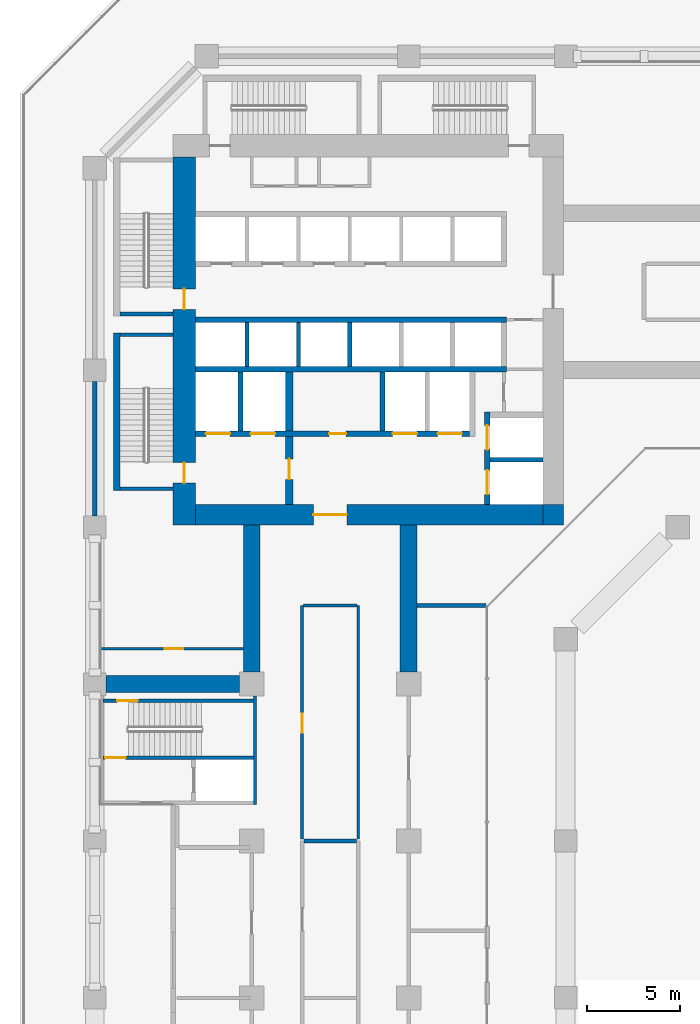
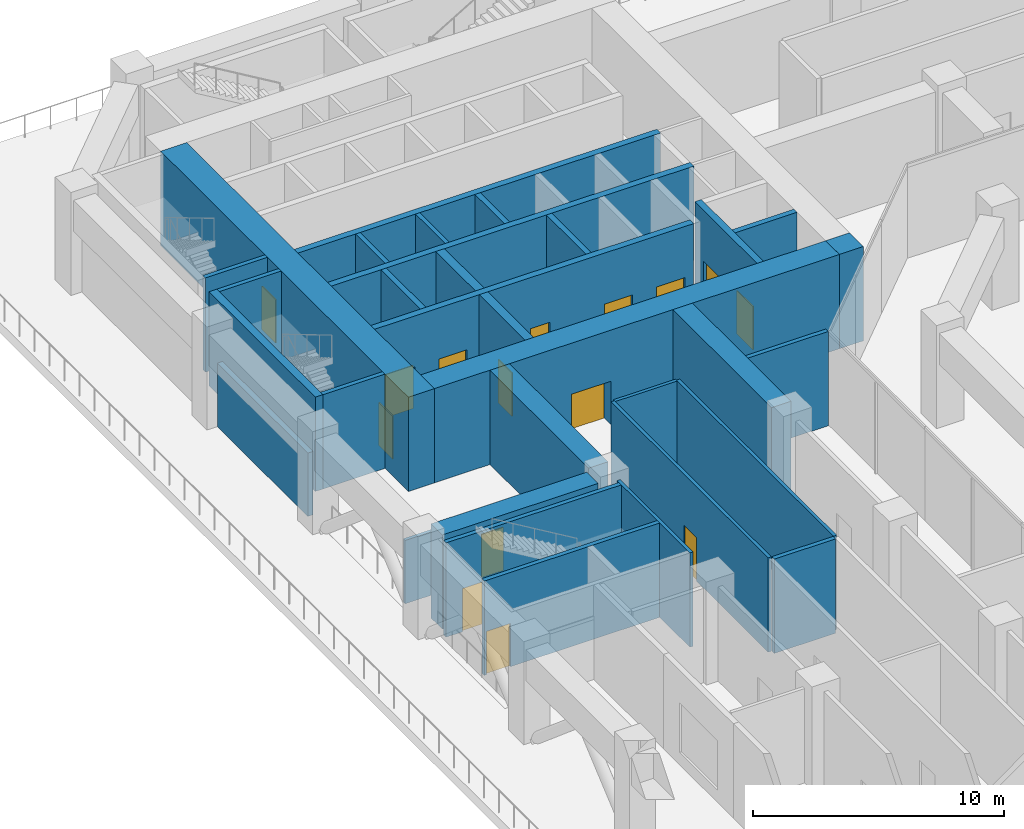
# One storey, part 7 of 19: 32 walls, 15 doors, 15 openings.
"""IFC4 building model written with IfcOpenShell, lengths in metres."""

from ifc_helpers import new_model, si_unit, direction, frame, frame_2d, origin, place, context, subcontext, project, spatial, rectangle, extrude, material, layer, layer_set, type_object, element, fill, save


model = new_model("IFC4")

# Units and contexts
model_context = context("Model", 3, precision=1e-05, world=origin(), true_north=direction((0.0, 1.0)))
body_context = subcontext(model_context, "Body", "Model", "MODEL_VIEW")
ifc_project = project(units=[si_unit("LENGTHUNIT", "METRE"), si_unit("AREAUNIT", "SQUARE_METRE"), si_unit("VOLUMEUNIT", "CUBIC_METRE"), si_unit("PLANEANGLEUNIT", "RADIAN"), si_unit("MASSUNIT", "GRAM", prefix="KILO")], contexts=[model_context])

# Site, building, storey
site_placement = place(None, origin())
site = spatial("IfcSite", under=ifc_project, at=site_placement, CompositionType="ELEMENT")
building_placement = place(site_placement, origin())
building = spatial("IfcBuilding", under=site, at=building_placement, Name="Kawkab Arch Medical Tower", CompositionType="ELEMENT")
storey_placement = place(building_placement, frame((0.0, 0.0, 34.199951171875)))
storey = spatial("IfcBuildingStorey", under=building, at=storey_placement, Name="L07", CompositionType="ELEMENT", Elevation=34.199951171875)

# Walls
ifc_material_1 = material(Name="Concrete C60/75", Category="concrete")
ifc_layer_1 = layer(ifc_material_1, 0.89990234375)
ifc_layer_set_1 = layer_set([ifc_layer_1], Name="Concrete C60/75")
wall_type_1 = type_object("IfcWallType", Name="Belt wall 900 C60/75", PredefinedType="SHEAR", material=ifc_layer_set_1)
for number, where, z_axis, x_axis, name in (
    (1, (8.39990234375, -25.10009765625, 0.0), (0.0, 0.0, 1.0), (0.0, -1.0, 0.0), "Belt wall BW-L07-5"),
    (2, (16.800048828125, -25.10009765625, 0.0), (0.0, 0.0, 1.0), (0.0, -1.0, 0.0), "Belt wall BW-L07-6"),
):
    element("IfcWall", number, at=place(storey_placement, frame(where, z_axis=z_axis, x_axis=x_axis)), inside=storey, type_object=wall_type_1, Name=name, PredefinedType="SHEAR", context=body_context, shape_type="SweptSolid", body=[
        extrude(rectangle(XDim=7.849853515625, YDim=0.89990234375, at=frame_2d((3.9248046875, 0.0))), origin(), (0.0, 0.0, 1.0), 4.580078125),
    ])
wall_1_placement = place(storey_placement, frame((0.60009765625, -33.60009765625, 0.0), z_axis=(0.0, 0.0, 1.0), x_axis=(1.0, 0.0, 0.0)))
element("IfcWall", 3, at=wall_1_placement, inside=storey, type_object=wall_type_1, Name="Belt wall BW-L07-7", PredefinedType="SHEAR", context=body_context, shape_type="SweptSolid", body=[
    extrude(rectangle(XDim=7.14990234375, YDim=0.89990234375, at=frame_2d((3.574951171875, 0.0))), origin(), (0.0, 0.0, 1.0), 4.580078125),
])

# Wall, opening, door
ifc_material_2 = material(Name="Concrete C60/75", Category="concrete")
ifc_layer_2 = layer(ifc_material_2, 1.10009765625)
ifc_layer_set_2 = layer_set([ifc_layer_2], Name="Concrete C60/75")
wall_type_2 = type_object("IfcWallType", Name="Core ring wall 1100 C60/75", PredefinedType="SHEAR", material=ifc_layer_set_2)
wall_2_placement = place(storey_placement, frame((5.39990234375, -24.550048828125, 0.0), z_axis=(0.0, 0.0, 1.0), x_axis=(1.0, 0.0, 0.0)))
wall_2 = element("IfcWall", 4, at=wall_2_placement, inside=storey, type_object=wall_type_2, Name="L07 core wall", PredefinedType="SHEAR", context=body_context, shape_type="SweptSolid", body=[
    extrude(rectangle(XDim=18.60009765625, YDim=1.10009765625, at=frame_2d((9.300048828125, 0.0))), origin(), (0.0, 0.0, 1.0), 4.580078125),
])
opening_1_placement = place(wall_2_placement, frame((6.300048828125, 0.0, 0.0)))
opening_1 = element("IfcOpeningElement", 5, at=opening_1_placement, cuts=wall_2, Name="Opening PD", PredefinedType="OPENING", context=body_context, shape_type="SweptSolid", body=[
    extrude(rectangle(XDim=1.800048828125, YDim=2.10009765625, at=frame_2d((0.89990234375, 1.050048828125))), frame((0.0, 0.56005859375, 0.0), z_axis=(0.0, -1.0, 0.0), x_axis=(1.0, 0.0, 0.0)), (0.0, 0.0, 1.0), 1.1201171875),
])
ifc_material_3 = material(Name="Hollow metal fire door leaf")
door_type_1 = type_object("IfcDoorType", Name="Core entrance doors 1800", OperationType="DOUBLE_DOOR_SINGLE_SWING", PredefinedType="DOOR", material=ifc_material_3)
door_1_placement = place(opening_1_placement, origin())
door_1 = element("IfcDoor", 6, at=door_1_placement, inside=storey, type_object=door_type_1, Name="L07 South entrance doors", OperationType="DOUBLE_DOOR_SINGLE_SWING", OverallHeight=2.10009765625, OverallWidth=1.800048828125, PredefinedType="DOOR", context=body_context, shape_type="SweptSolid", body=[
    extrude(rectangle(XDim=1.800048828125, YDim=2.10009765625, at=frame_2d((0.89990234375, 1.050048828125))), frame((0.0, 0.02490234375, 0.0), z_axis=(0.0, -1.0, 0.0), x_axis=(1.0, 0.0, 0.0)), (0.0, 0.0, 1.0), 0.050048828125),
])
fill(opening_1, door_1)

# Wall
wall_3_placement = place(storey_placement, frame((24.550048828125, -25.10009765625, 0.0), z_axis=(0.0, 0.0, 1.0), x_axis=(0.0, 1.0, 0.0)))
element("IfcWall", 7, at=wall_3_placement, inside=storey, type_object=wall_type_2, Name="L07 core wall", PredefinedType="SHEAR", context=body_context, shape_type="SweptSolid", body=[
    extrude(rectangle(XDim=1.10009765625, YDim=1.10009765625, at=frame_2d((0.550048828125, 0.0))), origin(), (0.0, 0.0, 1.0), 4.580078125),
])

# Wall, openings, doors
ifc_material_4 = material(Name="Concrete C60/75", Category="concrete")
ifc_layer_3 = layer(ifc_material_4, 1.199951171875)
ifc_layer_set_3 = layer_set([ifc_layer_3], Name="Concrete C60/75")
wall_type_3 = type_object("IfcWallType", Name="Core ring wall 1200 C60/75", PredefinedType="SHEAR", material=ifc_layer_set_3)
wall_4_placement = place(storey_placement, frame((4.800048828125, -25.10009765625, 0.0), z_axis=(0.0, 0.0, 1.0), x_axis=(0.0, 1.0, 0.0)))
wall_4 = element("IfcWall", 8, at=wall_4_placement, inside=storey, type_object=wall_type_3, Name="L07 core wall", PredefinedType="SHEAR", context=body_context, shape_type="SweptSolid", body=[
    extrude(rectangle(XDim=19.7001953125, YDim=1.199951171875, at=frame_2d((9.85009765625, 0.0))), origin(), (0.0, 0.0, 1.0), 4.580078125),
])
opening_2_placement = place(wall_4_placement, frame((11.550048828125, 0.0, 0.0)))
opening_2 = element("IfcOpeningElement", 9, at=opening_2_placement, cuts=wall_4, Name="Opening SD", PredefinedType="OPENING", context=body_context, shape_type="SweptSolid", body=[
    extrude(rectangle(XDim=1.10009765625, YDim=2.10009765625, at=frame_2d((0.550048828125, 1.050048828125))), frame((0.0, 0.60986328125, 0.0), z_axis=(0.0, -1.0, 0.0), x_axis=(1.0, 0.0, 0.0)), (0.0, 0.0, 1.0), 1.219970703125),
])
opening_3_placement = place(wall_4_placement, frame((2.25, 0.0, 0.0)))
opening_3 = element("IfcOpeningElement", 10, at=opening_3_placement, cuts=wall_4, Name="Opening SD", PredefinedType="OPENING", context=body_context, shape_type="SweptSolid", body=[
    extrude(rectangle(XDim=1.10009765625, YDim=2.10009765625, at=frame_2d((0.550048828125, 1.050048828125))), frame((0.0, 0.60986328125, 0.0), z_axis=(0.0, -1.0, 0.0), x_axis=(1.0, 0.0, 0.0)), (0.0, 0.0, 1.0), 1.219970703125),
])
ifc_material_5 = material(Name="Hollow metal fire door leaf")
door_type_2 = type_object("IfcDoorType", Name="Exit stair door 1100", OperationType="SINGLE_SWING_LEFT", PredefinedType="DOOR", material=ifc_material_5)
door_2_placement = place(opening_2_placement, origin())
door_2 = element("IfcDoor", 11, at=door_2_placement, inside=storey, type_object=door_type_2, Name="L07 Exit stair ST1 door", OperationType="SINGLE_SWING_LEFT", OverallHeight=2.10009765625, OverallWidth=1.10009765625, PredefinedType="DOOR", context=body_context, shape_type="SweptSolid", body=[
    extrude(rectangle(XDim=1.10009765625, YDim=2.10009765625, at=frame_2d((0.550048828125, 1.050048828125))), frame((0.0, 0.02490234375, 0.0), z_axis=(0.0, -1.0, 0.0), x_axis=(1.0, 0.0, 0.0)), (0.0, 0.0, 1.0), 0.050048828125),
])
fill(opening_2, door_2)
door_3_placement = place(opening_3_placement, origin())
door_3 = element("IfcDoor", 12, at=door_3_placement, inside=storey, type_object=door_type_2, Name="L07 Exit stair ST2 door", OperationType="SINGLE_SWING_LEFT", OverallHeight=2.10009765625, OverallWidth=1.10009765625, PredefinedType="DOOR", context=body_context, shape_type="SweptSolid", body=[
    extrude(rectangle(XDim=1.10009765625, YDim=2.10009765625, at=frame_2d((0.550048828125, 1.050048828125))), frame((0.0, 0.02490234375, 0.0), z_axis=(0.0, -1.0, 0.0), x_axis=(1.0, 0.0, 0.0)), (0.0, 0.0, 1.0), 0.050048828125),
])
fill(opening_3, door_3)

# Walls
ifc_material_6 = material(Name="Concrete C60/75", Category="concrete")
ifc_layer_4 = layer(ifc_material_6, 0.25)
ifc_layer_set_4 = layer_set([ifc_layer_4], Name="Concrete C60/75")
wall_type_4 = type_object("IfcWallType", Name="Core shear wall 250 C60/75", PredefinedType="SHEAR", material=ifc_layer_set_4)
wall_5_placement = place(storey_placement, frame((21.14990234375, -21.60009765625, 0.0), z_axis=(0.0, 0.0, 1.0), x_axis=(1.0, 0.0, 0.0)))
element("IfcWall", 13, at=wall_5_placement, inside=storey, type_object=wall_type_4, Name="L07 core shear wall", PredefinedType="SHEAR", context=body_context, shape_type="SweptSolid", body=[
    extrude(rectangle(XDim=2.85009765625, YDim=0.25, at=frame_2d((1.425048828125, 0.0))), origin(), (0.0, 0.0, 1.0), 4.580078125),
])
for number, where, z_axis, x_axis, name in (
    (14, (7.800048828125, -20.050048828125, 0.0), (0.0, 0.0, 1.0), (0.0, 1.0, 0.0), "L07 core shear wall"),
    (15, (15.39990234375, -20.050048828125, 0.0), (0.0, 0.0, 1.0), (0.0, 1.0, 0.0), "L07 core shear wall"),
):
    element("IfcWall", number, at=place(storey_placement, frame(where, z_axis=z_axis, x_axis=x_axis)), inside=storey, type_object=wall_type_4, Name=name, PredefinedType="SHEAR", context=body_context, shape_type="SweptSolid", body=[
        extrude(rectangle(XDim=3.150146484375, YDim=0.25, at=frame_2d((1.5751953125, 0.0))), origin(), (0.0, 0.0, 1.0), 4.580078125),
    ])
wall_6_placement = place(storey_placement, frame((13.64990234375, -16.60009765625, 0.0), z_axis=(0.0, 0.0, 1.0), x_axis=(0.0, 1.0, 0.0)))
element("IfcWall", 16, at=wall_6_placement, inside=storey, type_object=wall_type_4, Name="L07 core shear wall", PredefinedType="SHEAR", context=body_context, shape_type="SweptSolid", body=[
    extrude(rectangle(XDim=2.35009765625, YDim=0.25, at=frame_2d((1.175048828125, 0.0))), origin(), (0.0, 0.0, 1.0), 4.580078125),
])
ifc_material_7 = material(Name="Concrete C60/75", Category="concrete")
ifc_layer_5 = layer(ifc_material_7, 0.300048828125)
ifc_layer_set_5 = layer_set([ifc_layer_5], Name="Concrete C60/75")
wall_type_5 = type_object("IfcWallType", Name="Core shear wall 300 C60/75", PredefinedType="SHEAR", material=ifc_layer_set_5)
for number, where, z_axis, x_axis, name in (
    (17, (5.39990234375, -14.10009765625, 0.0), (0.0, 0.0, 1.0), (1.0, 0.0, 0.0), "L07 core shear wall"),
    (18, (5.39990234375, -16.75, 0.0), (0.0, 0.0, 1.0), (1.0, 0.0, 0.0), "L07 core shear wall"),
):
    element("IfcWall", number, at=place(storey_placement, frame(where, z_axis=z_axis, x_axis=x_axis)), inside=storey, type_object=wall_type_5, Name=name, PredefinedType="SHEAR", context=body_context, shape_type="SweptSolid", body=[
        extrude(rectangle(XDim=16.650146484375, YDim=0.300048828125, at=frame_2d((8.3251953125, 0.0))), origin(), (0.0, 0.0, 1.0), 4.580078125),
    ])

# Wall, openings, doors
wall_7_placement = place(storey_placement, frame((5.39990234375, -20.199951171875, 0.0), z_axis=(0.0, 0.0, 1.0), x_axis=(1.0, 0.0, 0.0)))
wall_7 = element("IfcWall", 19, at=wall_7_placement, inside=storey, type_object=wall_type_5, Name="L07 core shear wall", PredefinedType="SHEAR", context=body_context, shape_type="SweptSolid", body=[
    extrude(rectangle(XDim=14.650146484375, YDim=0.300048828125, at=frame_2d((7.3251953125, 0.0))), origin(), (0.0, 0.0, 1.0), 4.580078125),
])
opening_4_placement = place(wall_7_placement, frame((10.550048828125, 0.0, 0.0)))
opening_4 = element("IfcOpeningElement", 20, at=opening_4_placement, cuts=wall_7, Name="Opening LD2", PredefinedType="OPENING", context=body_context, shape_type="SweptSolid", body=[
    extrude(rectangle(XDim=1.300048828125, YDim=2.10009765625, at=frame_2d((0.64990234375, 1.050048828125))), frame((0.0, 0.159912109375, 0.0), z_axis=(0.0, -1.0, 0.0), x_axis=(1.0, 0.0, 0.0)), (0.0, 0.0, 1.0), 0.320068359375),
])
opening_5_placement = place(wall_7_placement, frame((12.949951171875, 0.0, 0.0)))
opening_5 = element("IfcOpeningElement", 21, at=opening_5_placement, cuts=wall_7, Name="Opening LD2", PredefinedType="OPENING", context=body_context, shape_type="SweptSolid", body=[
    extrude(rectangle(XDim=1.300048828125, YDim=2.10009765625, at=frame_2d((0.64990234375, 1.050048828125))), frame((0.0, 0.159912109375, 0.0), z_axis=(0.0, -1.0, 0.0), x_axis=(1.0, 0.0, 0.0)), (0.0, 0.0, 1.0), 0.320068359375),
])
opening_6_placement = place(wall_7_placement, frame((0.550048828125, 0.0, 0.0)))
opening_6 = element("IfcOpeningElement", 22, at=opening_6_placement, cuts=wall_7, Name="Opening LD2", PredefinedType="OPENING", context=body_context, shape_type="SweptSolid", body=[
    extrude(rectangle(XDim=1.300048828125, YDim=2.10009765625, at=frame_2d((0.64990234375, 1.050048828125))), frame((0.0, 0.159912109375, 0.0), z_axis=(0.0, -1.0, 0.0), x_axis=(1.0, 0.0, 0.0)), (0.0, 0.0, 1.0), 0.320068359375),
])
opening_7_placement = place(wall_7_placement, frame((2.949951171875, 0.0, 0.0)))
opening_7 = element("IfcOpeningElement", 23, at=opening_7_placement, cuts=wall_7, Name="Opening LD2", PredefinedType="OPENING", context=body_context, shape_type="SweptSolid", body=[
    extrude(rectangle(XDim=1.300048828125, YDim=2.10009765625, at=frame_2d((0.64990234375, 1.050048828125))), frame((0.0, 0.159912109375, 0.0), z_axis=(0.0, -1.0, 0.0), x_axis=(1.0, 0.0, 0.0)), (0.0, 0.0, 1.0), 0.320068359375),
])
opening_8_placement = place(wall_7_placement, frame((7.14990234375, 0.0, 0.0)))
opening_8 = element("IfcOpeningElement", 24, at=opening_8_placement, cuts=wall_7, Name="Opening RD", PredefinedType="OPENING", context=body_context, shape_type="SweptSolid", body=[
    extrude(rectangle(XDim=0.89990234375, YDim=2.10009765625, at=frame_2d((0.449951171875, 1.050048828125))), frame((0.0, 0.159912109375, 0.0), z_axis=(0.0, -1.0, 0.0), x_axis=(1.0, 0.0, 0.0)), (0.0, 0.0, 1.0), 0.320068359375),
])
ifc_material_8 = material(Name="Hollow metal fire door leaf")
door_type_3 = type_object("IfcDoorType", Name="Core room door 900", OperationType="SINGLE_SWING_LEFT", PredefinedType="DOOR", material=ifc_material_8)
door_4_placement = place(opening_8_placement, origin())
door_4 = element("IfcDoor", 25, at=door_4_placement, inside=storey, type_object=door_type_3, Name="L07 Linen store door", OperationType="SINGLE_SWING_LEFT", OverallHeight=2.10009765625, OverallWidth=0.89990234375, PredefinedType="DOOR", context=body_context, shape_type="SweptSolid", body=[
    extrude(rectangle(XDim=0.89990234375, YDim=2.10009765625, at=frame_2d((0.449951171875, 1.050048828125))), frame((0.0, 0.02490234375, 0.0), z_axis=(0.0, -1.0, 0.0), x_axis=(1.0, 0.0, 0.0)), (0.0, 0.0, 1.0), 0.050048828125),
])
fill(opening_8, door_4)
ifc_material_9 = material(Name="Stainless steel lift door leaf", Category="steel")
door_type_4 = type_object("IfcDoorType", Name="Lift landing door 1300", OperationType="DOUBLE_DOOR_SLIDING", PredefinedType="DOOR", material=ifc_material_9)
door_5_placement = place(opening_4_placement, origin())
door_5 = element("IfcDoor", 26, at=door_5_placement, inside=storey, type_object=door_type_4, Name="L07 Lift landing door BD3", OperationType="DOUBLE_DOOR_SLIDING", OverallHeight=2.10009765625, OverallWidth=1.300048828125, PredefinedType="DOOR", context=body_context, shape_type="SweptSolid", body=[
    extrude(rectangle(XDim=1.300048828125, YDim=2.10009765625, at=frame_2d((0.64990234375, 1.050048828125))), frame((0.0, 0.02490234375, 0.0), z_axis=(0.0, -1.0, 0.0), x_axis=(1.0, 0.0, 0.0)), (0.0, 0.0, 1.0), 0.050048828125),
])
fill(opening_4, door_5)
door_6_placement = place(opening_5_placement, origin())
door_6 = element("IfcDoor", 27, at=door_6_placement, inside=storey, type_object=door_type_4, Name="L07 Lift landing door BD4", OperationType="DOUBLE_DOOR_SLIDING", OverallHeight=2.10009765625, OverallWidth=1.300048828125, PredefinedType="DOOR", context=body_context, shape_type="SweptSolid", body=[
    extrude(rectangle(XDim=1.300048828125, YDim=2.10009765625, at=frame_2d((0.64990234375, 1.050048828125))), frame((0.0, 0.02490234375, 0.0), z_axis=(0.0, -1.0, 0.0), x_axis=(1.0, 0.0, 0.0)), (0.0, 0.0, 1.0), 0.050048828125),
])
fill(opening_5, door_6)
door_7_placement = place(opening_6_placement, origin())
door_7 = element("IfcDoor", 28, at=door_7_placement, inside=storey, type_object=door_type_4, Name="L07 Lift landing door FL1", OperationType="DOUBLE_DOOR_SLIDING", OverallHeight=2.10009765625, OverallWidth=1.300048828125, PredefinedType="DOOR", context=body_context, shape_type="SweptSolid", body=[
    extrude(rectangle(XDim=1.300048828125, YDim=2.10009765625, at=frame_2d((0.64990234375, 1.050048828125))), frame((0.0, 0.02490234375, 0.0), z_axis=(0.0, -1.0, 0.0), x_axis=(1.0, 0.0, 0.0)), (0.0, 0.0, 1.0), 0.050048828125),
])
fill(opening_6, door_7)
door_8_placement = place(opening_7_placement, origin())
door_8 = element("IfcDoor", 29, at=door_8_placement, inside=storey, type_object=door_type_4, Name="L07 Lift landing door FL2", OperationType="DOUBLE_DOOR_SLIDING", OverallHeight=2.10009765625, OverallWidth=1.300048828125, PredefinedType="DOOR", context=body_context, shape_type="SweptSolid", body=[
    extrude(rectangle(XDim=1.300048828125, YDim=2.10009765625, at=frame_2d((0.64990234375, 1.050048828125))), frame((0.0, 0.02490234375, 0.0), z_axis=(0.0, -1.0, 0.0), x_axis=(1.0, 0.0, 0.0)), (0.0, 0.0, 1.0), 0.050048828125),
])
fill(opening_7, door_8)

wall_8_placement = place(storey_placement, frame((21.0, -24.0, 0.0), z_axis=(0.0, 0.0, 1.0), x_axis=(0.0, 1.0, 0.0)))
wall_8 = element("IfcWall", 30, at=wall_8_placement, inside=storey, type_object=wall_type_5, Name="L07 core shear wall", PredefinedType="SHEAR", context=body_context, shape_type="SweptSolid", body=[
    extrude(rectangle(XDim=4.949951171875, YDim=0.300048828125, at=frame_2d((2.47509765625, 0.0))), origin(), (0.0, 0.0, 1.0), 4.580078125),
])
opening_9_placement = place(wall_8_placement, frame((2.949951171875, 0.0, 0.0)))
opening_9 = element("IfcOpeningElement", 31, at=opening_9_placement, cuts=wall_8, Name="Opening LD2", PredefinedType="OPENING", context=body_context, shape_type="SweptSolid", body=[
    extrude(rectangle(XDim=1.300048828125, YDim=2.10009765625, at=frame_2d((0.64990234375, 1.050048828125))), frame((0.0, 0.159912109375, 0.0), z_axis=(0.0, -1.0, 0.0), x_axis=(1.0, 0.0, 0.0)), (0.0, 0.0, 1.0), 0.320068359375),
])
opening_10_placement = place(wall_8_placement, frame((0.550048828125, 0.0, 0.0)))
opening_10 = element("IfcOpeningElement", 32, at=opening_10_placement, cuts=wall_8, Name="Opening LD2", PredefinedType="OPENING", context=body_context, shape_type="SweptSolid", body=[
    extrude(rectangle(XDim=1.300048828125, YDim=2.10009765625, at=frame_2d((0.64990234375, 1.050048828125))), frame((0.0, 0.159912109375, 0.0), z_axis=(0.0, -1.0, 0.0), x_axis=(1.0, 0.0, 0.0)), (0.0, 0.0, 1.0), 0.320068359375),
])
door_9_placement = place(opening_9_placement, origin())
door_9 = element("IfcDoor", 33, at=door_9_placement, inside=storey, type_object=door_type_4, Name="L07 Lift landing door BD1", OperationType="DOUBLE_DOOR_SLIDING", OverallHeight=2.10009765625, OverallWidth=1.300048828125, PredefinedType="DOOR", context=body_context, shape_type="SweptSolid", body=[
    extrude(rectangle(XDim=1.300048828125, YDim=2.10009765625, at=frame_2d((0.64990234375, 1.050048828125))), frame((0.0, 0.02490234375, 0.0), z_axis=(0.0, -1.0, 0.0), x_axis=(1.0, 0.0, 0.0)), (0.0, 0.0, 1.0), 0.050048828125),
])
fill(opening_9, door_9)
door_10_placement = place(opening_10_placement, origin())
door_10 = element("IfcDoor", 34, at=door_10_placement, inside=storey, type_object=door_type_4, Name="L07 Lift landing door BD2", OperationType="DOUBLE_DOOR_SLIDING", OverallHeight=2.10009765625, OverallWidth=1.300048828125, PredefinedType="DOOR", context=body_context, shape_type="SweptSolid", body=[
    extrude(rectangle(XDim=1.300048828125, YDim=2.10009765625, at=frame_2d((0.64990234375, 1.050048828125))), frame((0.0, 0.02490234375, 0.0), z_axis=(0.0, -1.0, 0.0), x_axis=(1.0, 0.0, 0.0)), (0.0, 0.0, 1.0), 0.050048828125),
])
fill(opening_10, door_10)

# Wall, opening, door
ifc_material_10 = material(Name="Concrete C60/75", Category="concrete")
ifc_layer_6 = layer(ifc_material_10, 0.39990234375)
ifc_layer_set_6 = layer_set([ifc_layer_6], Name="Concrete C60/75")
wall_type_6 = type_object("IfcWallType", Name="Core shear wall 400 C60/75", PredefinedType="SHEAR", material=ifc_layer_set_6)
wall_9_placement = place(storey_placement, frame((10.39990234375, -24.0, 0.0), z_axis=(0.0, 0.0, 1.0), x_axis=(0.0, 1.0, 0.0)))
wall_9 = element("IfcWall", 35, at=wall_9_placement, inside=storey, type_object=wall_type_6, Name="L07 core shear wall", PredefinedType="SHEAR", context=body_context, shape_type="SweptSolid", body=[
    extrude(rectangle(XDim=3.64990234375, YDim=0.39990234375, at=frame_2d((1.824951171875, 0.0))), origin(), (0.0, 0.0, 1.0), 4.580078125),
])
opening_11_placement = place(wall_9_placement, frame((1.35009765625, 0.0, 0.0)))
opening_11 = element("IfcOpeningElement", 36, at=opening_11_placement, cuts=wall_9, Name="Opening FD", PredefinedType="OPENING", context=body_context, shape_type="SweptSolid", body=[
    extrude(rectangle(XDim=1.10009765625, YDim=2.10009765625, at=frame_2d((0.550048828125, 1.050048828125))), frame((0.0, 0.2099609375, 0.0), z_axis=(0.0, -1.0, 0.0), x_axis=(1.0, 0.0, 0.0)), (0.0, 0.0, 1.0), 0.419921875),
])
ifc_material_11 = material(Name="Hollow metal fire door leaf")
door_type_5 = type_object("IfcDoorType", Name="Firefighting lobby door 1100", OperationType="SINGLE_SWING_LEFT", PredefinedType="DOOR", material=ifc_material_11)
door_11_placement = place(opening_11_placement, origin())
door_11 = element("IfcDoor", 37, at=door_11_placement, inside=storey, type_object=door_type_5, Name="L07 Firefighting lobby door", OperationType="SINGLE_SWING_LEFT", OverallHeight=2.10009765625, OverallWidth=1.10009765625, PredefinedType="DOOR", context=body_context, shape_type="SweptSolid", body=[
    extrude(rectangle(XDim=1.10009765625, YDim=2.10009765625, at=frame_2d((0.550048828125, 1.050048828125))), frame((0.0, 0.02490234375, 0.0), z_axis=(0.0, -1.0, 0.0), x_axis=(1.0, 0.0, 0.0)), (0.0, 0.0, 1.0), 0.050048828125),
])
fill(opening_11, door_11)

# Walls
wall_10_placement = place(storey_placement, frame((10.39990234375, -20.050048828125, 0.0), z_axis=(0.0, 0.0, 1.0), x_axis=(0.0, 1.0, 0.0)))
element("IfcWall", 38, at=wall_10_placement, inside=storey, type_object=wall_type_6, Name="L07 core shear wall", PredefinedType="SHEAR", context=body_context, shape_type="SweptSolid", body=[
    extrude(rectangle(XDim=3.150146484375, YDim=0.39990234375, at=frame_2d((1.5751953125, 0.0))), origin(), (0.0, 0.0, 1.0), 4.580078125),
])
ifc_material_12 = material(Name="Bronze clad insulated wall panel")
ifc_layer_7 = layer(ifc_material_12, 0.25)
ifc_layer_set_7 = layer_set([ifc_layer_7], Name="Bronze clad insulated wall panel")
wall_type_7 = type_object("IfcWallType", Name="External wall bay 250", PredefinedType="SOLIDWALL", material=ifc_layer_set_7)
wall_11_placement = place(storey_placement, frame((0.0, -17.39990234375, 0.0), z_axis=(0.0, 0.0, 1.0), x_axis=(0.0, -1.0, 0.0)))
element("IfcWall", 39, at=wall_11_placement, inside=storey, type_object=wall_type_7, Name="Plant wall L07.R02.2", PredefinedType="SOLIDWALL", context=body_context, shape_type="SweptSolid", body=[
    extrude(rectangle(XDim=7.2001953125, YDim=0.25, at=frame_2d((3.60009765625, 0.0))), origin(), (0.0, 0.0, 1.0), 3.080078125),
])
ifc_material_13 = material(Name="Dense concrete blockwork", Category="masonry")
ifc_layer_8 = layer(ifc_material_13, 0.199951171875)
ifc_layer_set_8 = layer_set([ifc_layer_8], Name="Dense concrete blockwork")
wall_type_8 = type_object("IfcWallType", Name="Lift shaft partition 200", PredefinedType="PARTITIONING", material=ifc_layer_set_8)
for number, where, z_axis, x_axis, name in (
    (40, (8.14990234375, -16.60009765625, 0.0), (0.0, 0.0, 1.0), (0.0, 1.0, 0.0), "L07 lift shaft partition"),
    (41, (10.89990234375, -16.60009765625, 0.0), (0.0, 0.0, 1.0), (0.0, 1.0, 0.0), "L07 lift shaft partition"),
):
    element("IfcWall", number, at=place(storey_placement, frame(where, z_axis=z_axis, x_axis=x_axis)), inside=storey, type_object=wall_type_8, Name=name, PredefinedType="PARTITIONING", context=body_context, shape_type="SweptSolid", body=[
        extrude(rectangle(XDim=2.35009765625, YDim=0.199951171875, at=frame_2d((1.175048828125, 0.0))), origin(), (0.0, 0.0, 1.0), 4.580078125),
    ])

# Wall, opening, door
ifc_material_14 = material(Name="Gypsum board partition on steel studs, mineral wool", Category="steel")
ifc_layer_9 = layer(ifc_material_14, 0.14990234375)
ifc_layer_set_9 = layer_set([ifc_layer_9], Name="Gypsum board partition on steel studs, mineral wool")
wall_type_9 = type_object("IfcWallType", Name="Partition 150", PredefinedType="PARTITIONING", material=ifc_layer_set_9)
wall_12_placement = place(storey_placement, frame((0.199951171875, -31.70703125, 0.0), z_axis=(0.0, 0.0, 1.0), x_axis=(1.0, 0.0, 0.0)))
wall_12 = element("IfcWall", 42, at=wall_12_placement, inside=storey, type_object=wall_type_9, Name="Partition 150 w006", PredefinedType="PARTITIONING", context=body_context, shape_type="SweptSolid", body=[
    extrude(rectangle(XDim=7.7509765625, YDim=0.14990234375, at=frame_2d((3.87548828125, 0.0))), origin(), (0.0, 0.0, 1.0), 3.080078125),
])
opening_12_placement = place(wall_12_placement, frame((3.541015625, 0.0, 0.0)))
opening_12 = element("IfcOpeningElement", 43, at=opening_12_placement, cuts=wall_12, Name="Opening PL1A-004", PredefinedType="OPENING", context=body_context, shape_type="SweptSolid", body=[
    extrude(rectangle(XDim=1.0, YDim=2.10009765625, at=frame_2d((0.5, 1.050048828125))), frame((0.0, 0.0849609375, 0.0), z_axis=(0.0, -1.0, 0.0), x_axis=(1.0, 0.0, 0.0)), (0.0, 0.0, 1.0), 0.169921875),
])
ifc_material_15 = material(Name="Hollow metal door leaf")
door_type_6 = type_object("IfcDoorType", Name="Single door 1000x2100 FD30S", OperationType="NOTDEFINED", PredefinedType="DOOR", material=ifc_material_15)
door_12_placement = place(opening_12_placement, origin())
door_12 = element("IfcDoor", 44, at=door_12_placement, inside=storey, type_object=door_type_6, Name="Door PL1A-004", OperationType="SINGLE_SWING_RIGHT", OverallHeight=2.10009765625, OverallWidth=1.0, PredefinedType="DOOR", context=body_context, shape_type="SweptSolid", body=[
    extrude(rectangle(XDim=1.0, YDim=2.10009765625, at=frame_2d((0.5, 1.050048828125))), frame((0.0, 0.02490234375, 0.0), z_axis=(0.0, -1.0, 0.0), x_axis=(1.0, 0.0, 0.0)), (0.0, 0.0, 1.0), 0.050048828125),
])
fill(opening_12, door_12)

# Wall
wall_13_placement = place(storey_placement, frame((11.177978515625, -29.39990234375, 0.0), z_axis=(0.0, 0.0, 1.0), x_axis=(1.0, 0.0, 0.0)))
element("IfcWall", 45, at=wall_13_placement, inside=storey, type_object=wall_type_9, Name="Partition 150 w007", PredefinedType="PARTITIONING", context=body_context, shape_type="SweptSolid", body=[
    extrude(rectangle(XDim=2.846923828125, YDim=0.14990234375, at=frame_2d((1.42333984375, 0.0))), origin(), (0.0, 0.0, 1.0), 4.580078125),
])

# Wall, opening, door
wall_14_placement = place(storey_placement, frame((11.10009765625, -41.89990234375, 0.0), z_axis=(0.0, 0.0, 1.0), x_axis=(0.0, 1.0, 0.0)))
wall_14 = element("IfcWall", 46, at=wall_14_placement, inside=storey, type_object=wall_type_9, Name="Partition 150 w013", PredefinedType="PARTITIONING", context=body_context, shape_type="SweptSolid", body=[
    extrude(rectangle(XDim=12.496826171875, YDim=0.14990234375, at=frame_2d((6.24853515625, 0.0))), origin(), (0.0, 0.0, 1.0), 4.580078125),
])
opening_13_placement = place(wall_14_placement, frame((5.698974609375, 0.0, 0.0)))
opening_13 = element("IfcOpeningElement", 47, at=opening_13_placement, cuts=wall_14, Name="Opening PL1A-003", PredefinedType="OPENING", context=body_context, shape_type="SweptSolid", body=[
    extrude(rectangle(XDim=1.0, YDim=2.10009765625, at=frame_2d((0.5, 1.050048828125))), frame((0.0, 0.0849609375, 0.0), z_axis=(0.0, -1.0, 0.0), x_axis=(1.0, 0.0, 0.0)), (0.0, 0.0, 1.0), 0.169921875),
])
door_13_placement = place(opening_13_placement, origin())
door_13 = element("IfcDoor", 48, at=door_13_placement, inside=storey, type_object=door_type_6, Name="Door PL1A-003", OperationType="SINGLE_SWING_RIGHT", OverallHeight=2.10009765625, OverallWidth=1.0, PredefinedType="DOOR", context=body_context, shape_type="SweptSolid", body=[
    extrude(rectangle(XDim=1.0, YDim=2.10009765625, at=frame_2d((0.5, 1.050048828125))), frame((0.0, 0.02490234375, 0.0), z_axis=(0.0, -1.0, 0.0), x_axis=(1.0, 0.0, 0.0)), (0.0, 0.0, 1.0), 0.050048828125),
])
fill(opening_13, door_13)

# Walls
wall_15_placement = place(storey_placement, frame((14.10009765625, -41.89990234375, 0.0), z_axis=(0.0, 0.0, 1.0), x_axis=(0.0, 1.0, 0.0)))
element("IfcWall", 49, at=wall_15_placement, inside=storey, type_object=wall_type_9, Name="Partition 150 w014", PredefinedType="PARTITIONING", context=body_context, shape_type="SweptSolid", body=[
    extrude(rectangle(XDim=12.5, YDim=0.14990234375, at=frame_2d((6.25, 0.0))), origin(), (0.0, 0.0, 1.0), 4.580078125),
])
ifc_material_16 = material(Name="Fire-rated gypsum board partition on steel studs", Category="steel")
ifc_layer_10 = layer(ifc_material_16, 0.199951171875)
ifc_layer_set_10 = layer_set([ifc_layer_10], Name="Fire-rated gypsum board partition on steel studs")
wall_type_10 = type_object("IfcWallType", Name="Protected partition 200", PredefinedType="PARTITIONING", material=ifc_layer_set_10)
wall_16_placement = place(storey_placement, frame((11.199951171875, -42.0, 0.0), z_axis=(0.0, 0.0, 1.0), x_axis=(1.0, 0.0, 0.0)))
element("IfcWall", 50, at=wall_16_placement, inside=storey, type_object=wall_type_10, Name="Protected partition 200 w021", PredefinedType="PARTITIONING", context=body_context, shape_type="SweptSolid", body=[
    extrude(rectangle(XDim=2.800048828125, YDim=0.199951171875, at=frame_2d((1.39990234375, 0.0))), origin(), (0.0, 0.0, 1.0), 4.580078125),
])
wall_17_placement = place(storey_placement, frame((17.2490234375, -29.39990234375, 0.0), z_axis=(0.0, 0.0, 1.0), x_axis=(1.0, 0.0, 0.0)))
element("IfcWall", 51, at=wall_17_placement, inside=storey, type_object=wall_type_10, Name="Protected partition 200 w022", PredefinedType="PARTITIONING", context=body_context, shape_type="SweptSolid", body=[
    extrude(rectangle(XDim=3.697998046875, YDim=0.199951171875, at=frame_2d((1.84912109375, 0.0))), origin(), (0.0, 0.0, 1.0), 4.580078125),
])
ifc_material_17 = material(Name="Concrete C50/60", Category="concrete")
ifc_layer_11 = layer(ifc_material_17, 0.14990234375)
ifc_layer_set_11 = layer_set([ifc_layer_11], Name="Concrete C50/60")
wall_type_11 = type_object("IfcWallType", Name="Stair enclosure wall 150 C50/60", PredefinedType="SHEAR", material=ifc_layer_set_11)
wall_18_placement = place(storey_placement, frame((8.574951171875, -40.050048828125, 0.0), z_axis=(0.0, 0.0, 1.0), x_axis=(0.0, 1.0, 0.0)))
element("IfcWall", 52, at=wall_18_placement, inside=storey, type_object=wall_type_11, Name="L07 stair enclosure wall", PredefinedType="SHEAR", context=body_context, shape_type="SweptSolid", body=[
    extrude(rectangle(XDim=5.800048828125, YDim=0.14990234375, at=frame_2d((2.89990234375, 0.0))), origin(), (0.0, 0.0, 1.0), 4.580078125),
])
ifc_material_18 = material(Name="Concrete C50/60", Category="concrete")
ifc_layer_12 = layer(ifc_material_18, 0.199951171875)
ifc_layer_set_12 = layer_set([ifc_layer_12], Name="Concrete C50/60")
wall_type_12 = type_object("IfcWallType", Name="Stair enclosure wall 200 C50/60", PredefinedType="SHEAR", material=ifc_layer_set_12)
for number, where, z_axis, x_axis, name in (
    (53, (1.35009765625, -13.800048828125, 0.0), (0.0, 0.0, 1.0), (1.0, 0.0, 0.0), "L07 stair enclosure wall"),
    (54, (1.35009765625, -14.89990234375, 0.0), (0.0, 0.0, 1.0), (1.0, 0.0, 0.0), "L07 stair enclosure wall"),
    (55, (1.35009765625, -23.14990234375, 0.0), (0.0, 0.0, 1.0), (1.0, 0.0, 0.0), "L07 stair enclosure wall"),
):
    element("IfcWall", number, at=place(storey_placement, frame(where, z_axis=z_axis, x_axis=x_axis)), inside=storey, type_object=wall_type_12, Name=name, PredefinedType="SHEAR", context=body_context, shape_type="SweptSolid", body=[
        extrude(rectangle(XDim=2.849853515625, YDim=0.199951171875, at=frame_2d((1.4248046875, 0.0))), origin(), (0.0, 0.0, 1.0), 4.580078125),
    ])

# Wall, opening, door
wall_19_placement = place(storey_placement, frame((0.449951171875, -34.5, 0.0), z_axis=(0.0, 0.0, 1.0), x_axis=(1.0, 0.0, 0.0)))
wall_19 = element("IfcWall", 56, at=wall_19_placement, inside=storey, type_object=wall_type_12, Name="L07 stair enclosure wall", PredefinedType="SHEAR", context=body_context, shape_type="SweptSolid", body=[
    extrude(rectangle(XDim=8.050048828125, YDim=0.199951171875, at=frame_2d((4.02490234375, 0.0))), origin(), (0.0, 0.0, 1.0), 4.580078125),
])
opening_14_placement = place(wall_19_placement, frame((0.75, 0.0, 0.0)))
opening_14 = element("IfcOpeningElement", 57, at=opening_14_placement, cuts=wall_19, Name="Opening SD", PredefinedType="OPENING", context=body_context, shape_type="SweptSolid", body=[
    extrude(rectangle(XDim=1.10009765625, YDim=2.10009765625, at=frame_2d((0.550048828125, 1.050048828125))), frame((0.0, 0.10986328125, 0.0), z_axis=(0.0, -1.0, 0.0), x_axis=(1.0, 0.0, 0.0)), (0.0, 0.0, 1.0), 0.219970703125),
])
door_14_placement = place(opening_14_placement, origin())
door_14 = element("IfcDoor", 58, at=door_14_placement, inside=storey, type_object=door_type_2, Name="L07 Exit stair ST6 door", OperationType="SINGLE_SWING_LEFT", OverallHeight=2.10009765625, OverallWidth=1.10009765625, PredefinedType="DOOR", context=body_context, shape_type="SweptSolid", body=[
    extrude(rectangle(XDim=1.10009765625, YDim=2.10009765625, at=frame_2d((0.550048828125, 1.050048828125))), frame((0.0, 0.02490234375, 0.0), z_axis=(0.0, -1.0, 0.0), x_axis=(1.0, 0.0, 0.0)), (0.0, 0.0, 1.0), 0.050048828125),
])
fill(opening_14, door_14)

wall_20_placement = place(storey_placement, frame((0.449951171875, -37.550048828125, 0.0), z_axis=(0.0, 0.0, 1.0), x_axis=(1.0, 0.0, 0.0)))
wall_20 = element("IfcWall", 59, at=wall_20_placement, inside=storey, type_object=wall_type_12, Name="L07 stair enclosure wall", PredefinedType="SHEAR", context=body_context, shape_type="SweptSolid", body=[
    extrude(rectangle(XDim=8.050048828125, YDim=0.199951171875, at=frame_2d((4.02490234375, 0.0))), origin(), (0.0, 0.0, 1.0), 4.580078125),
])
opening_15_placement = place(wall_20_placement, frame((0.10009765625, 0.0, 0.0)))
opening_15 = element("IfcOpeningElement", 60, at=opening_15_placement, cuts=wall_20, Name="Opening SD", PredefinedType="OPENING", context=body_context, shape_type="SweptSolid", body=[
    extrude(rectangle(XDim=1.10009765625, YDim=2.10009765625, at=frame_2d((0.550048828125, 1.050048828125))), frame((0.0, 0.10986328125, 0.0), z_axis=(0.0, -1.0, 0.0), x_axis=(1.0, 0.0, 0.0)), (0.0, 0.0, 1.0), 0.219970703125),
])
door_15_placement = place(opening_15_placement, frame((1.10009765625, 0.0, 0.0), z_axis=(0.0, 0.0, 1.0), x_axis=(-1.0, 0.0, 0.0)))
door_15 = element("IfcDoor", 61, at=door_15_placement, inside=storey, type_object=door_type_2, Name="L07 Exit stair ST6 lobby door", OperationType="SINGLE_SWING_LEFT", OverallHeight=2.10009765625, OverallWidth=1.10009765625, PredefinedType="DOOR", context=body_context, shape_type="SweptSolid", body=[
    extrude(rectangle(XDim=1.10009765625, YDim=2.10009765625, at=frame_2d((0.550048828125, 1.050048828125))), frame((0.0, 0.02490234375, 0.0), z_axis=(0.0, -1.0, 0.0), x_axis=(1.0, 0.0, 0.0)), (0.0, 0.0, 1.0), 0.050048828125),
])
fill(opening_15, door_15)

# Wall
ifc_material_19 = material(Name="Concrete C50/60", Category="concrete")
ifc_layer_13 = layer(ifc_material_19, 0.35009765625)
ifc_layer_set_13 = layer_set([ifc_layer_13], Name="Concrete C50/60")
wall_type_13 = type_object("IfcWallType", Name="Stair enclosure wall 350 C50/60", PredefinedType="SHEAR", material=ifc_layer_set_13)
wall_21_placement = place(storey_placement, frame((1.175048828125, -23.25, 0.0), z_axis=(0.0, 0.0, 1.0), x_axis=(0.0, 1.0, 0.0)))
element("IfcWall", 62, at=wall_21_placement, inside=storey, type_object=wall_type_13, Name="L07 stair enclosure wall", PredefinedType="SHEAR", context=body_context, shape_type="SweptSolid", body=[
    extrude(rectangle(XDim=8.449951171875, YDim=0.35009765625, at=frame_2d((4.22509765625, 0.0))), origin(), (0.0, 0.0, 1.0), 4.580078125),
])

save(model, "model.ifc")
